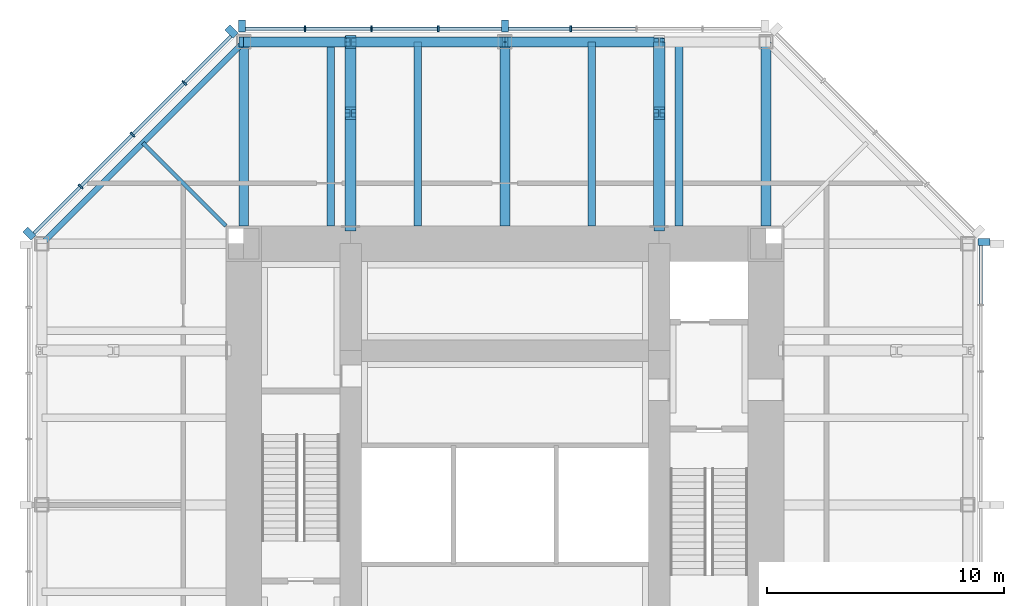
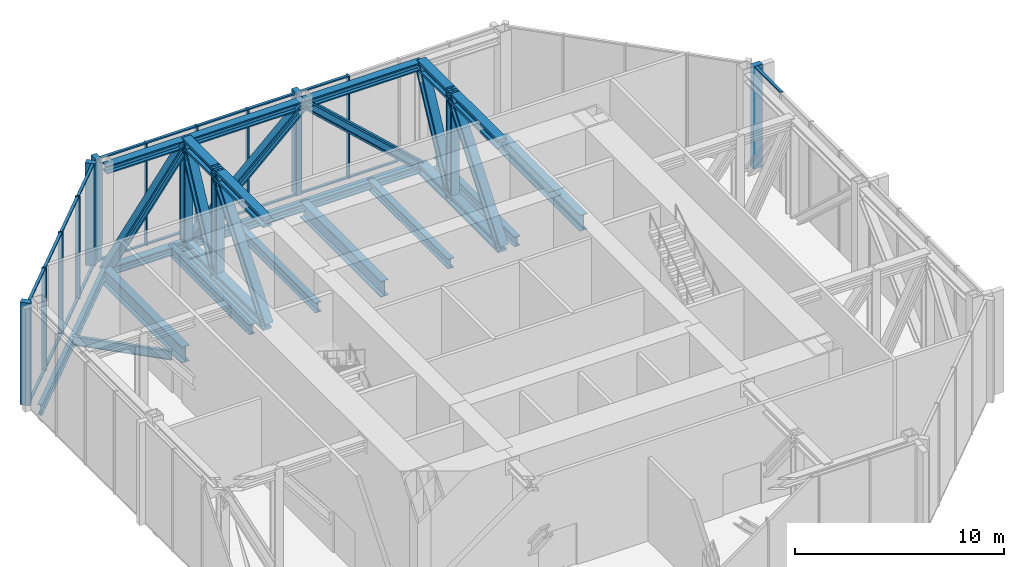
# One storey, part 6 of 11: 42 members, 21 beams, 3 elements without a shape of their own.
"""IFC4 building model written with IfcOpenShell, lengths in metres."""

from ifc_helpers import new_model, si_unit, direction, frame, origin, origin_2d, place, context, subcontext, project, spatial, rectangle, i_section, extrude, material, material_profile, profile_set, type_object, element, aggregate, save


model = new_model("IFC4")

# Units and contexts
model_context = context("Model", 3, precision=1e-05, world=origin(), true_north=direction((0.0, 1.0)))
body_context = subcontext(model_context, "Body", "Model", "MODEL_VIEW")
ifc_project = project(units=[si_unit("LENGTHUNIT", "METRE"), si_unit("AREAUNIT", "SQUARE_METRE"), si_unit("VOLUMEUNIT", "CUBIC_METRE"), si_unit("PLANEANGLEUNIT", "RADIAN"), si_unit("MASSUNIT", "GRAM", prefix="KILO")], contexts=[model_context])

# Site, building, storey
site_placement = place(None, origin())
site = spatial("IfcSite", under=ifc_project, at=site_placement, CompositionType="ELEMENT")
building_placement = place(site_placement, origin())
building = spatial("IfcBuilding", under=site, at=building_placement, Name="Trevanion Tower", CompositionType="ELEMENT")
storey_placement = place(building_placement, frame((0.0, 0.0, 257.199951171875)))
storey = spatial("IfcBuildingStorey", under=building, at=storey_placement, Name="L63", CompositionType="ELEMENT", Elevation=257.199951171875)

# Beams
ifc_material_1 = material(Name="Steel ASTM A992 Grade 50", Category="steel")
ifc_material_profile_1 = material_profile(ifc_material_1, i_section(OverallWidth=0.320068359375, OverallDepth=0.584228515625, WebThickness=0.023193359375, FlangeThickness=0.04150390625, at=origin_2d()), Name="W21X201")
ifc_profile_set_1 = profile_set([ifc_material_profile_1], Name="Steel ASTM A992 Grade 50")
beam_type_1 = type_object("IfcBeamType", Name="B13 W21X201", PredefinedType="BEAM", material=ifc_profile_set_1)
for number, where, z_axis, x_axis, name in (
    (1, (7.333251953125, 11.75, -0.48193359375), (0.0, 1.0, 0.0), (-1.0, 0.0, 0.0), "B13 L63"),
    (2, (3.666748046875, 11.75, -0.48193359375), (0.0, 1.0, 0.0), (-1.0, 0.0, 0.0), "B13 L63"),
    (3, (-3.666748046875, 11.75, -0.48193359375), (0.0, 1.0, 0.0), (-1.0, 0.0, 0.0), "B13 L63"),
    (4, (-7.333251953125, 11.75, -0.48193359375), (0.0, 1.0, 0.0), (-1.0, 0.0, 0.0), "B13 L63"),
):
    element("IfcBeam", number, at=place(storey_placement, frame(where, z_axis=z_axis, x_axis=x_axis)), inside=storey, type_object=beam_type_1, Name=name, PredefinedType="BEAM", context=body_context, shape_type="SweptSolid", body=[
        extrude(i_section(OverallWidth=0.320068359375, OverallDepth=0.584228515625, WebThickness=0.023193359375, FlangeThickness=0.04150390625, at=origin_2d()), origin(), (0.0, 0.0, 1.0), 7.75),
    ])
ifc_material_2 = material(Name="Steel ASTM A992 Grade 50", Category="steel")
ifc_material_profile_2 = material_profile(ifc_material_2, i_section(OverallWidth=0.1650390625, OverallDepth=0.52587890625, WebThickness=0.0087890625, FlangeThickness=0.011474609375, at=origin_2d()), Name="W21X44")
ifc_profile_set_2 = profile_set([ifc_material_profile_2], Name="Steel ASTM A992 Grade 50")
beam_type_2 = type_object("IfcBeamType", Name="B14 W21X44", PredefinedType="BEAM", material=ifc_profile_set_2)
beam_1_placement = place(storey_placement, frame((-11.75, 11.75, -0.452880859375), z_axis=(-0.707106781187, 0.707106781187, 0.0), x_axis=(-0.707106781187, -0.707106781187, 0.0)))
element("IfcBeam", 5, at=beam_1_placement, inside=storey, type_object=beam_type_2, Name="B14 L63", PredefinedType="BEAM", context=body_context, shape_type="SweptSolid", body=[
    extrude(i_section(OverallWidth=0.1650390625, OverallDepth=0.52587890625, WebThickness=0.0087890625, FlangeThickness=0.011474609375, at=origin_2d()), origin(), (0.0, 0.0, 1.0), 4.94970703125),
])
ifc_material_3 = material(Name="Steel ASTM A992 Grade 50", Category="steel")
ifc_material_profile_3 = material_profile(ifc_material_3, i_section(OverallWidth=0.421630859375, OverallDepth=0.46484375, WebThickness=0.044921875, FlangeThickness=0.072509765625, at=origin_2d()), Name="W14X398")
ifc_profile_set_3 = profile_set([ifc_material_profile_3], Name="Steel ASTM A992 Grade 50")
beam_type_3 = type_object("IfcBeamType", Name="BT3-CH W14X398", PredefinedType="BEAM", material=ifc_profile_set_3)
for number, where, z_axis, x_axis, name in (
    (6, (6.5, 19.5, -0.48974609375), (-1.0, 0.0, 0.0), (0.0, -1.0, 0.0), "BT3 belt truss chord"),
    (7, (6.5, 19.5, 5.51025390625), (-1.0, 0.0, 0.0), (0.0, -1.0, 0.0), "BT3 belt truss chord"),
    (8, (0.0, 19.5, -0.48974609375), (-1.0, 0.0, 0.0), (0.0, -1.0, 0.0), "BT3 belt truss chord"),
    (9, (0.0, 19.5, 5.51025390625), (-1.0, 0.0, 0.0), (0.0, -1.0, 0.0), "BT3 belt truss chord"),
):
    element("IfcBeam", number, at=place(storey_placement, frame(where, z_axis=z_axis, x_axis=x_axis)), inside=storey, type_object=beam_type_3, Name=name, PredefinedType="BEAM", context=body_context, shape_type="SweptSolid", body=[
        extrude(i_section(OverallWidth=0.421630859375, OverallDepth=0.46484375, WebThickness=0.044921875, FlangeThickness=0.072509765625, at=origin_2d()), origin(), (0.0, 0.0, 1.0), 6.5),
    ])
for number, where, z_axis, x_axis, name in (
    (10, (-6.5, 19.5, -0.48974609375), (-1.0, 0.0, 0.0), (0.0, -1.0, 0.0), "BT3 belt truss chord"),
    (11, (-6.5, 19.5, 5.51025390625), (-1.0, 0.0, 0.0), (0.0, -1.0, 0.0), "BT3 belt truss chord"),
):
    element("IfcBeam", number, at=place(storey_placement, frame(where, z_axis=z_axis, x_axis=x_axis)), inside=storey, type_object=beam_type_3, Name=name, PredefinedType="BEAM", context=body_context, shape_type="SweptSolid", body=[
        extrude(i_section(OverallWidth=0.421630859375, OverallDepth=0.46484375, WebThickness=0.044921875, FlangeThickness=0.072509765625, at=origin_2d()), origin(), (0.0, 0.0, 1.0), 4.5),
    ])

# Members
ifc_material_4 = material(Name="Steel ASTM A992 Grade 50", Category="steel")
ifc_material_profile_4 = material_profile(ifc_material_4, i_section(OverallWidth=0.431884765625, OverallDepth=0.497802734375, WebThickness=0.0556640625, FlangeThickness=0.0888671875, at=origin_2d()), Name="W14X500")
ifc_profile_set_4 = profile_set([ifc_material_profile_4], Name="Steel ASTM A992 Grade 50")
member_type_1 = type_object("IfcMemberType", Name="BT3-D W14X500", PredefinedType="BRACE", material=ifc_profile_set_4)
for number, where, z_axis, x_axis, name in (
    (12, (6.5, 19.5, -0.48974609375), (-0.734803444627, 0.0, 0.678280102733), (0.0, -1.0, 0.0), "BT3 belt truss diagonal"),
    (13, (-6.5, 19.5, -0.48974609375), (0.734803444627, 0.0, 0.678280102733), (0.0, 1.0, 0.0), "BT3 belt truss diagonal"),
):
    element("IfcMember", number, at=place(storey_placement, frame(where, z_axis=z_axis, x_axis=x_axis)), inside=storey, type_object=member_type_1, Name=name, PredefinedType="BRACE", context=body_context, shape_type="SweptSolid", body=[
        extrude(i_section(OverallWidth=0.431884765625, OverallDepth=0.497802734375, WebThickness=0.0556640625, FlangeThickness=0.0888671875, at=origin_2d()), origin(), (0.0, 0.0, 1.0), 8.845947265625),
    ])
member_1_placement = place(storey_placement, frame((-11.0, 19.5, -0.48974609375), z_axis=(0.6, 0.0, 0.8), x_axis=(0.0, 1.0, 0.0)))
element("IfcMember", 14, at=member_1_placement, inside=storey, type_object=member_type_1, Name="BT3 belt truss diagonal", PredefinedType="BRACE", context=body_context, shape_type="SweptSolid", body=[
    extrude(i_section(OverallWidth=0.431884765625, OverallDepth=0.497802734375, WebThickness=0.0556640625, FlangeThickness=0.0888671875, at=origin_2d()), origin(), (0.0, 0.0, 1.0), 7.5),
])
ifc_material_5 = material(Name="Steel ASTM A992 Grade 50", Category="steel")
ifc_material_profile_5 = material_profile(ifc_material_5, i_section(OverallWidth=0.44189453125, OverallDepth=0.53076171875, WebThickness=0.06591796875, FlangeThickness=0.105712890625, at=origin_2d()), Name="W14X605")
ifc_profile_set_5 = profile_set([ifc_material_profile_5], Name="Steel ASTM A992 Grade 50")
member_type_2 = type_object("IfcMemberType", Name="BT3-V W14X605", PredefinedType="POST", material=ifc_profile_set_5)
member_2_placement = place(storey_placement, frame((-6.5, 19.5, -0.48974609375), z_axis=(0.0, 0.0, 1.0), x_axis=(1.0, 0.0, 0.0)))
element("IfcMember", 15, at=member_2_placement, inside=storey, type_object=member_type_2, Name="BT3 belt truss vertical", PredefinedType="POST", context=body_context, shape_type="SweptSolid", body=[
    extrude(i_section(OverallWidth=0.44189453125, OverallDepth=0.53076171875, WebThickness=0.06591796875, FlangeThickness=0.105712890625, at=origin_2d()), origin(), (0.0, 0.0, 1.0), 6.0),
])

# Curtain wall, members
ifc_material_6 = material(Name="Aluminium louvres", Category="aluminium")
curtain_wall_type = type_object("IfcCurtainWallType", Name="CWL curtain wall", PredefinedType="USERDEFINED", material=ifc_material_6)
curtain_wall_1_placement = place(storey_placement, origin())
curtain_wall_1 = element("IfcCurtainWall", 16, at=curtain_wall_1_placement, inside=storey, type_object=curtain_wall_type, Name="CWL L63 2", ObjectType="LOUVRE SCREEN", PredefinedType="USERDEFINED")
ifc_material_7 = material(Name="Aluminium extrusion, anodised bronze", Category="aluminium")
ifc_material_profile_6 = material_profile(ifc_material_7, rectangle(XDim=0.074951171875, YDim=0.25, at=origin_2d()), Name="CWL mullion")
ifc_profile_set_6 = profile_set([ifc_material_profile_6], Name="Aluminium extrusion, anodised bronze")
member_type_3 = type_object("IfcMemberType", Name="CWL mullion", PredefinedType="MULLION", material=ifc_profile_set_6)
member_3_placement = place(storey_placement, frame((2.7744140625, 20.050048828125, -0.18994140625), z_axis=(0.0, 0.0, 1.0), x_axis=(-1.0, 0.0, 0.0)))
member_3 = element("IfcMember", 17, at=member_3_placement, type_object=member_type_3, Name="CWL mullion 4", PredefinedType="MULLION", context=body_context, shape_type="SweptSolid", body=[
    extrude(rectangle(XDim=0.074951171875, YDim=0.25, at=origin_2d()), origin(), (0.0, 0.0, 1.0), 6.0),
])
member_4_placement = place(storey_placement, frame((-2.806884765625, 20.050048828125, -0.18994140625), z_axis=(0.0, 0.0, 1.0), x_axis=(-1.0, 0.0, 0.0)))
member_4 = element("IfcMember", 18, at=member_4_placement, type_object=member_type_3, Name="CWL mullion 6", PredefinedType="MULLION", context=body_context, shape_type="SweptSolid", body=[
    extrude(rectangle(XDim=0.074951171875, YDim=0.25, at=origin_2d()), origin(), (0.0, 0.0, 1.0), 6.0),
])
member_5_placement = place(storey_placement, frame((-5.614013671875, 20.050048828125, -0.18994140625), z_axis=(0.0, 0.0, 1.0), x_axis=(-1.0, 0.0, 0.0)))
member_5 = element("IfcMember", 19, at=member_5_placement, type_object=member_type_3, Name="CWL mullion 7", PredefinedType="MULLION", context=body_context, shape_type="SweptSolid", body=[
    extrude(rectangle(XDim=0.074951171875, YDim=0.25, at=origin_2d()), origin(), (0.0, 0.0, 1.0), 6.0),
])
member_6_placement = place(storey_placement, frame((-8.4208984375, 20.050048828125, -0.18994140625), z_axis=(0.0, 0.0, 1.0), x_axis=(-1.0, 0.0, 0.0)))
member_6 = element("IfcMember", 20, at=member_6_placement, type_object=member_type_3, Name="CWL mullion 8", PredefinedType="MULLION", context=body_context, shape_type="SweptSolid", body=[
    extrude(rectangle(XDim=0.074951171875, YDim=0.25, at=origin_2d()), origin(), (0.0, 0.0, 1.0), 6.0),
])

curtain_wall_2_placement = place(storey_placement, origin())
curtain_wall_2 = element("IfcCurtainWall", 21, at=curtain_wall_2_placement, inside=storey, type_object=curtain_wall_type, Name="CWL L63 3", ObjectType="LOUVRE SCREEN", PredefinedType="USERDEFINED")
member_7_placement = place(storey_placement, frame((-13.502197265625, 17.775390625, -0.18994140625), z_axis=(0.0, 0.0, 1.0), x_axis=(-0.707106781187, -0.707106781187, 0.0)))
member_7 = element("IfcMember", 22, at=member_7_placement, type_object=member_type_3, Name="CWL mullion 2", PredefinedType="MULLION", context=body_context, shape_type="SweptSolid", body=[
    extrude(rectangle(XDim=0.074951171875, YDim=0.25, at=origin_2d()), origin(), (0.0, 0.0, 1.0), 6.0),
])
member_8_placement = place(storey_placement, frame((-15.684814453125, 15.593017578125, -0.18994140625), z_axis=(0.0, 0.0, 1.0), x_axis=(-0.707106781187, -0.707106781187, 0.0)))
member_8 = element("IfcMember", 23, at=member_8_placement, type_object=member_type_3, Name="CWL mullion 3", PredefinedType="MULLION", context=body_context, shape_type="SweptSolid", body=[
    extrude(rectangle(XDim=0.074951171875, YDim=0.25, at=origin_2d()), origin(), (0.0, 0.0, 1.0), 6.0),
])
member_9_placement = place(storey_placement, frame((-17.867431640625, 13.410400390625, -0.18994140625), z_axis=(0.0, 0.0, 1.0), x_axis=(-0.707106781187, -0.707106781187, 0.0)))
member_9 = element("IfcMember", 24, at=member_9_placement, type_object=member_type_3, Name="CWL mullion 4", PredefinedType="MULLION", context=body_context, shape_type="SweptSolid", body=[
    extrude(rectangle(XDim=0.074951171875, YDim=0.25, at=origin_2d()), origin(), (0.0, 0.0, 1.0), 6.0),
])

# Curtain wall, member
curtain_wall_3_placement = place(storey_placement, origin())
curtain_wall_3 = element("IfcCurtainWall", 25, at=curtain_wall_3_placement, inside=storey, type_object=curtain_wall_type, Name="CWL L63 0", ObjectType="LOUVRE SCREEN", PredefinedType="USERDEFINED")
ifc_material_8 = material(Name="Aluminium extrusion, anodised bronze", Category="aluminium")
ifc_material_profile_7 = material_profile(ifc_material_8, rectangle(XDim=0.300048828125, YDim=0.5, at=origin_2d()), Name="CWL pier mullion")
ifc_profile_set_7 = profile_set([ifc_material_profile_7], Name="Aluminium extrusion, anodised bronze")
member_type_4 = type_object("IfcMemberType", Name="CWL pier mullion", PredefinedType="MULLION", material=ifc_profile_set_7)
member_10_placement = place(storey_placement, frame((20.175048828125, 11.077880859375, -0.18994140625), z_axis=(0.0, 0.0, 1.0), x_axis=(0.0, 1.0, 0.0)))
member_10 = element("IfcMember", 26, at=member_10_placement, type_object=member_type_4, Name="CWL pier mullion 9", PredefinedType="MULLION", context=body_context, shape_type="SweptSolid", body=[
    extrude(rectangle(XDim=0.300048828125, YDim=0.5, at=origin_2d()), origin(), (0.0, 0.0, 1.0), 6.0),
])

# Member
member_11_placement = place(storey_placement, frame((0.0, 20.175048828125, -0.18994140625), z_axis=(0.0, 0.0, 1.0), x_axis=(-1.0, 0.0, 0.0)))
member_11 = element("IfcMember", 27, at=member_11_placement, type_object=member_type_4, Name="CWL pier mullion 5", PredefinedType="MULLION", context=body_context, shape_type="SweptSolid", body=[
    extrude(rectangle(XDim=0.300048828125, YDim=0.5, at=origin_2d()), origin(), (0.0, 0.0, 1.0), 6.0),
])

member_12_placement = place(storey_placement, frame((-11.077880859375, 20.175048828125, -0.18994140625), z_axis=(0.0, 0.0, 1.0), x_axis=(-1.0, 0.0, 0.0)))
member_12 = element("IfcMember", 28, at=member_12_placement, type_object=member_type_4, Name="CWL pier mullion 9", PredefinedType="MULLION", context=body_context, shape_type="SweptSolid", body=[
    extrude(rectangle(XDim=0.300048828125, YDim=0.5, at=origin_2d()), origin(), (0.0, 0.0, 1.0), 6.0),
])

member_13_placement = place(storey_placement, frame((-11.51416015625, 19.9404296875, -0.18994140625), z_axis=(0.0, 0.0, 1.0), x_axis=(-0.707106781187, -0.707106781187, 0.0)))
member_13 = element("IfcMember", 29, at=member_13_placement, type_object=member_type_4, Name="CWL pier mullion 1", PredefinedType="MULLION", context=body_context, shape_type="SweptSolid", body=[
    extrude(rectangle(XDim=0.300048828125, YDim=0.5, at=origin_2d()), origin(), (0.0, 0.0, 1.0), 6.0),
])

member_14_placement = place(storey_placement, frame((-20.0322265625, 11.42236328125, -0.18994140625), z_axis=(0.0, 0.0, 1.0), x_axis=(-0.707106781187, -0.707106781187, 0.0)))
member_14 = element("IfcMember", 30, at=member_14_placement, type_object=member_type_4, Name="CWL pier mullion 5", PredefinedType="MULLION", context=body_context, shape_type="SweptSolid", body=[
    extrude(rectangle(XDim=0.300048828125, YDim=0.5, at=origin_2d()), origin(), (0.0, 0.0, 1.0), 6.0),
])

ifc_material_9 = material(Name="Aluminium extrusion, anodised bronze", Category="aluminium")
ifc_material_profile_8 = material_profile(ifc_material_9, rectangle(XDim=0.14990234375, YDim=0.074951171875, at=origin_2d()), Name="CWL transom")
ifc_profile_set_8 = profile_set([ifc_material_profile_8], Name="Aluminium extrusion, anodised bronze")
member_type_5 = type_object("IfcMemberType", Name="CWL transom", PredefinedType="USERDEFINED", material=ifc_profile_set_8)
member_15_placement = place(storey_placement, frame((20.050048828125, 8.45849609375, 5.7724609375), z_axis=(0.0, 1.0, 0.0), x_axis=(-1.0, 0.0, 0.0)))
member_15 = element("IfcMember", 31, at=member_15_placement, type_object=member_type_5, Name="CWL transom 8.2", ObjectType="TRANSOM", PredefinedType="USERDEFINED", context=body_context, shape_type="SweptSolid", body=[
    extrude(rectangle(XDim=0.14990234375, YDim=0.074951171875, at=origin_2d()), origin(), (0.0, 0.0, 1.0), 2.46923828125),
])

aggregate(curtain_wall_3, [member_10, member_15])

member_16_placement = place(storey_placement, frame((5.511474609375, 20.050048828125, -0.15234375), z_axis=(-1.0, 0.0, 0.0), x_axis=(0.0, -1.0, 0.0)))
member_16 = element("IfcMember", 32, at=member_16_placement, type_object=member_type_5, Name="CWL transom 3.1", ObjectType="TRANSOM", PredefinedType="USERDEFINED", context=body_context, shape_type="SweptSolid", body=[
    extrude(rectangle(XDim=0.14990234375, YDim=0.074951171875, at=origin_2d()), origin(), (0.0, 0.0, 1.0), 2.699462890625),
])

member_17_placement = place(storey_placement, frame((2.737060546875, 20.050048828125, -0.15234375), z_axis=(-1.0, 0.0, 0.0), x_axis=(0.0, -1.0, 0.0)))
member_17 = element("IfcMember", 33, at=member_17_placement, type_object=member_type_5, Name="CWL transom 4.1", ObjectType="TRANSOM", PredefinedType="USERDEFINED", context=body_context, shape_type="SweptSolid", body=[
    extrude(rectangle(XDim=0.14990234375, YDim=0.074951171875, at=origin_2d()), origin(), (0.0, 0.0, 1.0), 2.587158203125),
])

member_18_placement = place(storey_placement, frame((2.737060546875, 20.050048828125, 5.7724609375), z_axis=(-1.0, 0.0, 0.0), x_axis=(0.0, -1.0, 0.0)))
member_18 = element("IfcMember", 34, at=member_18_placement, type_object=member_type_5, Name="CWL transom 4.2", ObjectType="TRANSOM", PredefinedType="USERDEFINED", context=body_context, shape_type="SweptSolid", body=[
    extrude(rectangle(XDim=0.14990234375, YDim=0.074951171875, at=origin_2d()), origin(), (0.0, 0.0, 1.0), 2.587158203125),
])

member_19_placement = place(storey_placement, frame((-0.14990234375, 20.050048828125, -0.15234375), z_axis=(-1.0, 0.0, 0.0), x_axis=(0.0, -1.0, 0.0)))
member_19 = element("IfcMember", 35, at=member_19_placement, type_object=member_type_5, Name="CWL transom 5.1", ObjectType="TRANSOM", PredefinedType="USERDEFINED", context=body_context, shape_type="SweptSolid", body=[
    extrude(rectangle(XDim=0.14990234375, YDim=0.074951171875, at=origin_2d()), origin(), (0.0, 0.0, 1.0), 2.619384765625),
])

member_20_placement = place(storey_placement, frame((-0.14990234375, 20.050048828125, 5.7724609375), z_axis=(-1.0, 0.0, 0.0), x_axis=(0.0, -1.0, 0.0)))
member_20 = element("IfcMember", 36, at=member_20_placement, type_object=member_type_5, Name="CWL transom 5.2", ObjectType="TRANSOM", PredefinedType="USERDEFINED", context=body_context, shape_type="SweptSolid", body=[
    extrude(rectangle(XDim=0.14990234375, YDim=0.074951171875, at=origin_2d()), origin(), (0.0, 0.0, 1.0), 2.619384765625),
])

member_21_placement = place(storey_placement, frame((-2.844482421875, 20.050048828125, -0.15234375), z_axis=(-1.0, 0.0, 0.0), x_axis=(0.0, -1.0, 0.0)))
member_21 = element("IfcMember", 37, at=member_21_placement, type_object=member_type_5, Name="CWL transom 6.1", ObjectType="TRANSOM", PredefinedType="USERDEFINED", context=body_context, shape_type="SweptSolid", body=[
    extrude(rectangle(XDim=0.14990234375, YDim=0.074951171875, at=origin_2d()), origin(), (0.0, 0.0, 1.0), 2.73193359375),
])

member_22_placement = place(storey_placement, frame((-2.844482421875, 20.050048828125, 5.7724609375), z_axis=(-1.0, 0.0, 0.0), x_axis=(0.0, -1.0, 0.0)))
member_22 = element("IfcMember", 38, at=member_22_placement, type_object=member_type_5, Name="CWL transom 6.2", ObjectType="TRANSOM", PredefinedType="USERDEFINED", context=body_context, shape_type="SweptSolid", body=[
    extrude(rectangle(XDim=0.14990234375, YDim=0.074951171875, at=origin_2d()), origin(), (0.0, 0.0, 1.0), 2.73193359375),
])

member_23_placement = place(storey_placement, frame((-5.6513671875, 20.050048828125, -0.15234375), z_axis=(-1.0, 0.0, 0.0), x_axis=(0.0, -1.0, 0.0)))
member_23 = element("IfcMember", 39, at=member_23_placement, type_object=member_type_5, Name="CWL transom 7.1", ObjectType="TRANSOM", PredefinedType="USERDEFINED", context=body_context, shape_type="SweptSolid", body=[
    extrude(rectangle(XDim=0.14990234375, YDim=0.074951171875, at=origin_2d()), origin(), (0.0, 0.0, 1.0), 2.73193359375),
])

member_24_placement = place(storey_placement, frame((-5.6513671875, 20.050048828125, 5.7724609375), z_axis=(-1.0, 0.0, 0.0), x_axis=(0.0, -1.0, 0.0)))
member_24 = element("IfcMember", 40, at=member_24_placement, type_object=member_type_5, Name="CWL transom 7.2", ObjectType="TRANSOM", PredefinedType="USERDEFINED", context=body_context, shape_type="SweptSolid", body=[
    extrude(rectangle(XDim=0.14990234375, YDim=0.074951171875, at=origin_2d()), origin(), (0.0, 0.0, 1.0), 2.73193359375),
])

member_25_placement = place(storey_placement, frame((-8.45849609375, 20.050048828125, -0.15234375), z_axis=(-1.0, 0.0, 0.0), x_axis=(0.0, -1.0, 0.0)))
member_25 = element("IfcMember", 41, at=member_25_placement, type_object=member_type_5, Name="CWL transom 8.1", ObjectType="TRANSOM", PredefinedType="USERDEFINED", context=body_context, shape_type="SweptSolid", body=[
    extrude(rectangle(XDim=0.14990234375, YDim=0.074951171875, at=origin_2d()), origin(), (0.0, 0.0, 1.0), 2.46923828125),
])

member_26_placement = place(storey_placement, frame((-8.45849609375, 20.050048828125, 5.7724609375), z_axis=(-1.0, 0.0, 0.0), x_axis=(0.0, -1.0, 0.0)))
member_26 = element("IfcMember", 42, at=member_26_placement, type_object=member_type_5, Name="CWL transom 8.2", ObjectType="TRANSOM", PredefinedType="USERDEFINED", context=body_context, shape_type="SweptSolid", body=[
    extrude(rectangle(XDim=0.14990234375, YDim=0.074951171875, at=origin_2d()), origin(), (0.0, 0.0, 1.0), 2.46923828125),
])

aggregate(curtain_wall_1, [member_3, member_11, member_4, member_5, member_6, member_12, member_16, member_17, member_18, member_19, member_20, member_21, member_22, member_23, member_24, member_25, member_26])

member_27_placement = place(storey_placement, frame((-11.531982421875, 19.745849609375, -0.15234375), z_axis=(-0.707106781187, -0.707106781187, 0.0), x_axis=(0.707106781187, -0.707106781187, 0.0)))
member_27 = element("IfcMember", 43, at=member_27_placement, type_object=member_type_5, Name="CWL transom 1.1", ObjectType="TRANSOM", PredefinedType="USERDEFINED", context=body_context, shape_type="SweptSolid", body=[
    extrude(rectangle(XDim=0.14990234375, YDim=0.074951171875, at=origin_2d()), origin(), (0.0, 0.0, 1.0), 2.7490234375),
])

member_28_placement = place(storey_placement, frame((-11.531982421875, 19.745849609375, 5.7724609375), z_axis=(-0.707106781187, -0.707106781187, 0.0), x_axis=(0.707106781187, -0.707106781187, 0.0)))
member_28 = element("IfcMember", 44, at=member_28_placement, type_object=member_type_5, Name="CWL transom 1.2", ObjectType="TRANSOM", PredefinedType="USERDEFINED", context=body_context, shape_type="SweptSolid", body=[
    extrude(rectangle(XDim=0.14990234375, YDim=0.074951171875, at=origin_2d()), origin(), (0.0, 0.0, 1.0), 2.7490234375),
])

member_29_placement = place(storey_placement, frame((-13.52880859375, 17.7490234375, -0.15234375), z_axis=(-0.707106781187, -0.707106781187, 0.0), x_axis=(0.707106781187, -0.707106781187, 0.0)))
member_29 = element("IfcMember", 45, at=member_29_placement, type_object=member_type_5, Name="CWL transom 2.1", ObjectType="TRANSOM", PredefinedType="USERDEFINED", context=body_context, shape_type="SweptSolid", body=[
    extrude(rectangle(XDim=0.14990234375, YDim=0.074951171875, at=origin_2d()), origin(), (0.0, 0.0, 1.0), 3.01171875),
])

member_30_placement = place(storey_placement, frame((-13.52880859375, 17.7490234375, 5.7724609375), z_axis=(-0.707106781187, -0.707106781187, 0.0), x_axis=(0.707106781187, -0.707106781187, 0.0)))
member_30 = element("IfcMember", 46, at=member_30_placement, type_object=member_type_5, Name="CWL transom 2.2", ObjectType="TRANSOM", PredefinedType="USERDEFINED", context=body_context, shape_type="SweptSolid", body=[
    extrude(rectangle(XDim=0.14990234375, YDim=0.074951171875, at=origin_2d()), origin(), (0.0, 0.0, 1.0), 3.01171875),
])

member_31_placement = place(storey_placement, frame((-15.71142578125, 15.56640625, -0.15234375), z_axis=(-0.707106781187, -0.707106781187, 0.0), x_axis=(0.707106781187, -0.707106781187, 0.0)))
member_31 = element("IfcMember", 47, at=member_31_placement, type_object=member_type_5, Name="CWL transom 3.1", ObjectType="TRANSOM", PredefinedType="USERDEFINED", context=body_context, shape_type="SweptSolid", body=[
    extrude(rectangle(XDim=0.14990234375, YDim=0.074951171875, at=origin_2d()), origin(), (0.0, 0.0, 1.0), 3.011474609375),
])

member_32_placement = place(storey_placement, frame((-15.71142578125, 15.56640625, 5.7724609375), z_axis=(-0.707106781187, -0.707106781187, 0.0), x_axis=(0.707106781187, -0.707106781187, 0.0)))
member_32 = element("IfcMember", 48, at=member_32_placement, type_object=member_type_5, Name="CWL transom 3.2", ObjectType="TRANSOM", PredefinedType="USERDEFINED", context=body_context, shape_type="SweptSolid", body=[
    extrude(rectangle(XDim=0.14990234375, YDim=0.074951171875, at=origin_2d()), origin(), (0.0, 0.0, 1.0), 3.011474609375),
])

member_33_placement = place(storey_placement, frame((-17.89404296875, 13.3837890625, -0.15234375), z_axis=(-0.707106781187, -0.707106781187, 0.0), x_axis=(0.707106781187, -0.707106781187, 0.0)))
member_33 = element("IfcMember", 49, at=member_33_placement, type_object=member_type_5, Name="CWL transom 4.1", ObjectType="TRANSOM", PredefinedType="USERDEFINED", context=body_context, shape_type="SweptSolid", body=[
    extrude(rectangle(XDim=0.14990234375, YDim=0.074951171875, at=origin_2d()), origin(), (0.0, 0.0, 1.0), 2.7490234375),
])

member_34_placement = place(storey_placement, frame((-17.89404296875, 13.3837890625, 5.7724609375), z_axis=(-0.707106781187, -0.707106781187, 0.0), x_axis=(0.707106781187, -0.707106781187, 0.0)))
member_34 = element("IfcMember", 50, at=member_34_placement, type_object=member_type_5, Name="CWL transom 4.2", ObjectType="TRANSOM", PredefinedType="USERDEFINED", context=body_context, shape_type="SweptSolid", body=[
    extrude(rectangle(XDim=0.14990234375, YDim=0.074951171875, at=origin_2d()), origin(), (0.0, 0.0, 1.0), 2.7490234375),
])

aggregate(curtain_wall_2, [member_13, member_7, member_8, member_9, member_14, member_27, member_28, member_29, member_30, member_31, member_32, member_33, member_34])

# Beams
ifc_material_10 = material(Name="Steel ASTM A992 Grade 50", Category="steel")
ifc_material_profile_9 = material_profile(ifc_material_10, i_section(OverallWidth=0.419189453125, OverallDepth=0.927001953125, WebThickness=0.019287109375, FlangeThickness=0.031982421875, at=origin_2d()), Name="W36X231")
ifc_profile_set_9 = profile_set([ifc_material_profile_9], Name="Steel ASTM A992 Grade 50")
beam_type_4 = type_object("IfcBeamType", Name="G7 W36X231", PredefinedType="BEAM", material=ifc_profile_set_9)
for number, where, z_axis, x_axis, name in (
    (51, (11.0, 11.75, -0.653564453125), (0.0, 1.0, 0.0), (-1.0, 0.0, 0.0), "G7 L63"),
    (52, (0.0, 11.75, -0.653564453125), (0.0, 1.0, 0.0), (-1.0, 0.0, 0.0), "G7 L63"),
    (53, (-11.0, 11.75, -0.653564453125), (0.0, 1.0, 0.0), (-1.0, 0.0, 0.0), "G7 L63"),
):
    element("IfcBeam", number, at=place(storey_placement, frame(where, z_axis=z_axis, x_axis=x_axis)), inside=storey, type_object=beam_type_4, Name=name, PredefinedType="BEAM", context=body_context, shape_type="SweptSolid", body=[
        extrude(i_section(OverallWidth=0.419189453125, OverallDepth=0.927001953125, WebThickness=0.019287109375, FlangeThickness=0.031982421875, at=origin_2d()), origin(), (0.0, 0.0, 1.0), 7.75),
    ])
ifc_material_11 = material(Name="Steel ASTM A992 Grade 50", Category="steel")
ifc_material_profile_10 = material_profile(ifc_material_11, i_section(OverallWidth=0.22900390625, OverallDepth=0.612060546875, WebThickness=0.011962890625, FlangeThickness=0.01953125, at=origin_2d()), Name="W24X84")
ifc_profile_set_10 = profile_set([ifc_material_profile_10], Name="Steel ASTM A992 Grade 50")
beam_type_5 = type_object("IfcBeamType", Name="SB11 W24X84", PredefinedType="SPANDREL", material=ifc_profile_set_10)
beam_2_placement = place(storey_placement, frame((-11.0, 19.5, -0.49609375), z_axis=(-0.707106781187, -0.707106781187, 0.0), x_axis=(0.707106781187, -0.707106781187, 0.0)))
element("IfcBeam", 54, at=beam_2_placement, inside=storey, type_object=beam_type_5, Name="SB11 L63", PredefinedType="SPANDREL", context=body_context, shape_type="SweptSolid", body=[
    extrude(i_section(OverallWidth=0.22900390625, OverallDepth=0.612060546875, WebThickness=0.011962890625, FlangeThickness=0.01953125, at=origin_2d()), origin(), (0.0, 0.0, 1.0), 12.020751953125),
])
ifc_material_12 = material(Name="Steel ASTM A992 Grade 50", Category="steel")
ifc_material_profile_11 = material_profile(ifc_material_12, i_section(OverallWidth=0.4775390625, OverallDepth=0.599365234375, WebThickness=0.10009765625, FlangeThickness=0.139892578125, at=origin_2d()), Name="W14X873")
ifc_profile_set_11 = profile_set([ifc_material_profile_11], Name="Steel ASTM A992 Grade 50")
beam_type_6 = type_object("IfcBeamType", Name="TT3-CH W14X873", PredefinedType="BEAM", material=ifc_profile_set_11)
beam_3_placement = place(storey_placement, frame((6.5, 11.75, -0.48974609375), z_axis=(0.0, 1.0, 0.0), x_axis=(-1.0, 0.0, 0.0)))
element("IfcBeam", 55, at=beam_3_placement, inside=storey, type_object=beam_type_6, Name="TT3 11/N transfer truss chord", PredefinedType="BEAM", context=body_context, shape_type="SweptSolid", body=[
    extrude(i_section(OverallWidth=0.4775390625, OverallDepth=0.599365234375, WebThickness=0.10009765625, FlangeThickness=0.139892578125, at=origin_2d()), origin(), (0.0, 0.0, 1.0), 7.75),
])
beam_4_placement = place(storey_placement, frame((6.5, 11.75, 5.51025390625), z_axis=(0.0, 1.0, 0.0), x_axis=(-1.0, 0.0, 0.0)))
element("IfcBeam", 56, at=beam_4_placement, inside=storey, type_object=beam_type_6, Name="TT3 11/N transfer truss chord", PredefinedType="BEAM", context=body_context, shape_type="SweptSolid", body=[
    extrude(i_section(OverallWidth=0.4775390625, OverallDepth=0.599365234375, WebThickness=0.10009765625, FlangeThickness=0.139892578125, at=origin_2d()), origin(), (0.0, 0.0, 1.0), 4.75),
])
beam_5_placement = place(storey_placement, frame((6.5, 16.5, 5.51025390625), z_axis=(0.0, 1.0, 0.0), x_axis=(-1.0, 0.0, 0.0)))
element("IfcBeam", 57, at=beam_5_placement, inside=storey, type_object=beam_type_6, Name="TT3 11/N transfer truss chord", PredefinedType="BEAM", context=body_context, shape_type="SweptSolid", body=[
    extrude(i_section(OverallWidth=0.4775390625, OverallDepth=0.599365234375, WebThickness=0.10009765625, FlangeThickness=0.139892578125, at=origin_2d()), origin(), (0.0, 0.0, 1.0), 3.0),
])
beam_6_placement = place(storey_placement, frame((-6.5, 11.75, -0.48974609375), z_axis=(0.0, 1.0, 0.0), x_axis=(-1.0, 0.0, 0.0)))
element("IfcBeam", 58, at=beam_6_placement, inside=storey, type_object=beam_type_6, Name="TT3 9/N transfer truss chord", PredefinedType="BEAM", context=body_context, shape_type="SweptSolid", body=[
    extrude(i_section(OverallWidth=0.4775390625, OverallDepth=0.599365234375, WebThickness=0.10009765625, FlangeThickness=0.139892578125, at=origin_2d()), origin(), (0.0, 0.0, 1.0), 7.75),
])
beam_7_placement = place(storey_placement, frame((-6.5, 11.75, 5.51025390625), z_axis=(0.0, 1.0, 0.0), x_axis=(-1.0, 0.0, 0.0)))
element("IfcBeam", 59, at=beam_7_placement, inside=storey, type_object=beam_type_6, Name="TT3 9/N transfer truss chord", PredefinedType="BEAM", context=body_context, shape_type="SweptSolid", body=[
    extrude(i_section(OverallWidth=0.4775390625, OverallDepth=0.599365234375, WebThickness=0.10009765625, FlangeThickness=0.139892578125, at=origin_2d()), origin(), (0.0, 0.0, 1.0), 4.75),
])
beam_8_placement = place(storey_placement, frame((-6.5, 16.5, 5.51025390625), z_axis=(0.0, 1.0, 0.0), x_axis=(-1.0, 0.0, 0.0)))
element("IfcBeam", 60, at=beam_8_placement, inside=storey, type_object=beam_type_6, Name="TT3 9/N transfer truss chord", PredefinedType="BEAM", context=body_context, shape_type="SweptSolid", body=[
    extrude(i_section(OverallWidth=0.4775390625, OverallDepth=0.599365234375, WebThickness=0.10009765625, FlangeThickness=0.139892578125, at=origin_2d()), origin(), (0.0, 0.0, 1.0), 3.0),
])

# Members
ifc_material_13 = material(Name="Steel ASTM A992 Grade 50", Category="steel")
ifc_material_profile_12 = material_profile(ifc_material_13, i_section(OverallWidth=0.45458984375, OverallDepth=0.56884765625, WebThickness=0.077880859375, FlangeThickness=0.124755859375, at=origin_2d()), Name="W14X730")
ifc_profile_set_12 = profile_set([ifc_material_profile_12], Name="Steel ASTM A992 Grade 50")
member_type_6 = type_object("IfcMemberType", Name="TT3-D W14X730", PredefinedType="BRACE", material=ifc_profile_set_12)
member_35_placement = place(storey_placement, frame((6.5, 11.75, -0.48974609375), z_axis=(0.0, 0.620702944366, 0.784045824462), x_axis=(-1.0, 0.0, 0.0)))
element("IfcMember", 61, at=member_35_placement, inside=storey, type_object=member_type_6, Name="TT3 11/N transfer truss diagonal", PredefinedType="BRACE", context=body_context, shape_type="SweptSolid", body=[
    extrude(i_section(OverallWidth=0.45458984375, OverallDepth=0.56884765625, WebThickness=0.077880859375, FlangeThickness=0.124755859375, at=origin_2d()), origin(), (0.0, 0.0, 1.0), 7.652587890625),
])
member_36_placement = place(storey_placement, frame((6.5, 16.5, -0.48974609375), z_axis=(0.0, 0.4472135955, 0.894427191), x_axis=(-1.0, 0.0, 0.0)))
element("IfcMember", 62, at=member_36_placement, inside=storey, type_object=member_type_6, Name="TT3 11/N transfer truss diagonal", PredefinedType="BRACE", context=body_context, shape_type="SweptSolid", body=[
    extrude(i_section(OverallWidth=0.45458984375, OverallDepth=0.56884765625, WebThickness=0.077880859375, FlangeThickness=0.124755859375, at=origin_2d()), origin(), (0.0, 0.0, 1.0), 6.708251953125),
])
member_37_placement = place(storey_placement, frame((-6.5, 11.75, -0.48974609375), z_axis=(0.0, 0.620702944366, 0.784045824462), x_axis=(-1.0, 0.0, 0.0)))
element("IfcMember", 63, at=member_37_placement, inside=storey, type_object=member_type_6, Name="TT3 9/N transfer truss diagonal", PredefinedType="BRACE", context=body_context, shape_type="SweptSolid", body=[
    extrude(i_section(OverallWidth=0.45458984375, OverallDepth=0.56884765625, WebThickness=0.077880859375, FlangeThickness=0.124755859375, at=origin_2d()), origin(), (0.0, 0.0, 1.0), 7.652587890625),
])
member_38_placement = place(storey_placement, frame((-6.5, 16.5, -0.48974609375), z_axis=(0.0, 0.4472135955, 0.894427191), x_axis=(-1.0, 0.0, 0.0)))
element("IfcMember", 64, at=member_38_placement, inside=storey, type_object=member_type_6, Name="TT3 9/N transfer truss diagonal", PredefinedType="BRACE", context=body_context, shape_type="SweptSolid", body=[
    extrude(i_section(OverallWidth=0.45458984375, OverallDepth=0.56884765625, WebThickness=0.077880859375, FlangeThickness=0.124755859375, at=origin_2d()), origin(), (0.0, 0.0, 1.0), 6.708251953125),
])
ifc_material_14 = material(Name="Steel ASTM A992 Grade 50", Category="steel")
ifc_material_profile_13 = material_profile(ifc_material_14, i_section(OverallWidth=0.44189453125, OverallDepth=0.53076171875, WebThickness=0.06591796875, FlangeThickness=0.105712890625, at=origin_2d()), Name="W14X605")
ifc_profile_set_13 = profile_set([ifc_material_profile_13], Name="Steel ASTM A992 Grade 50")
member_type_7 = type_object("IfcMemberType", Name="TT3-V W14X605", PredefinedType="POST", material=ifc_profile_set_13)
for number, where, z_axis, x_axis, name in (
    (65, (6.5, 16.5, -0.48974609375), (0.0, 0.0, 1.0), (1.0, 0.0, 0.0), "TT3 11/N transfer truss vertical"),
    (66, (-6.5, 16.5, -0.48974609375), (0.0, 0.0, 1.0), (1.0, 0.0, 0.0), "TT3 9/N transfer truss vertical"),
):
    element("IfcMember", number, at=place(storey_placement, frame(where, z_axis=z_axis, x_axis=x_axis)), inside=storey, type_object=member_type_7, Name=name, PredefinedType="POST", context=body_context, shape_type="SweptSolid", body=[
        extrude(i_section(OverallWidth=0.44189453125, OverallDepth=0.53076171875, WebThickness=0.06591796875, FlangeThickness=0.105712890625, at=origin_2d()), origin(), (0.0, 0.0, 1.0), 6.2998046875),
    ])

save(model, "model.ifc")
